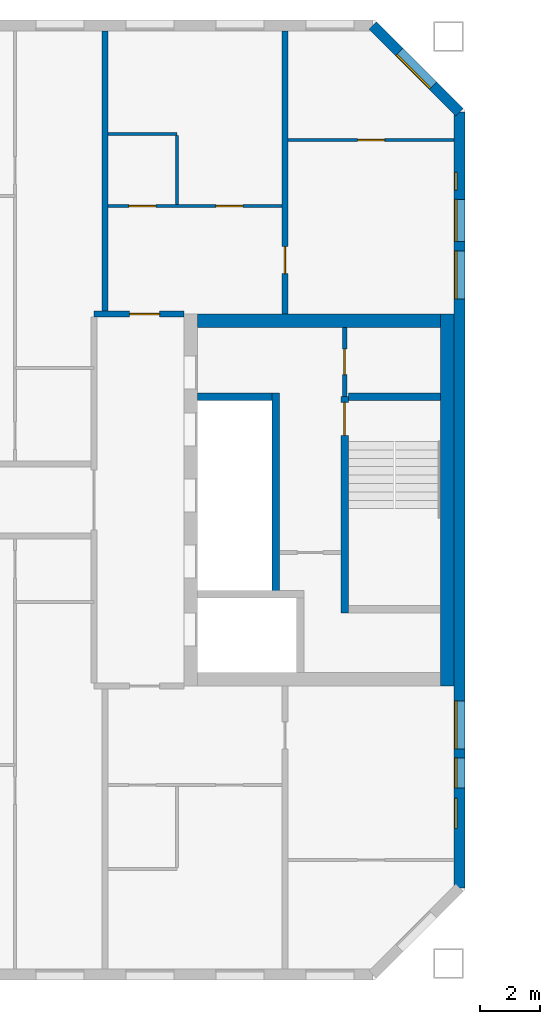
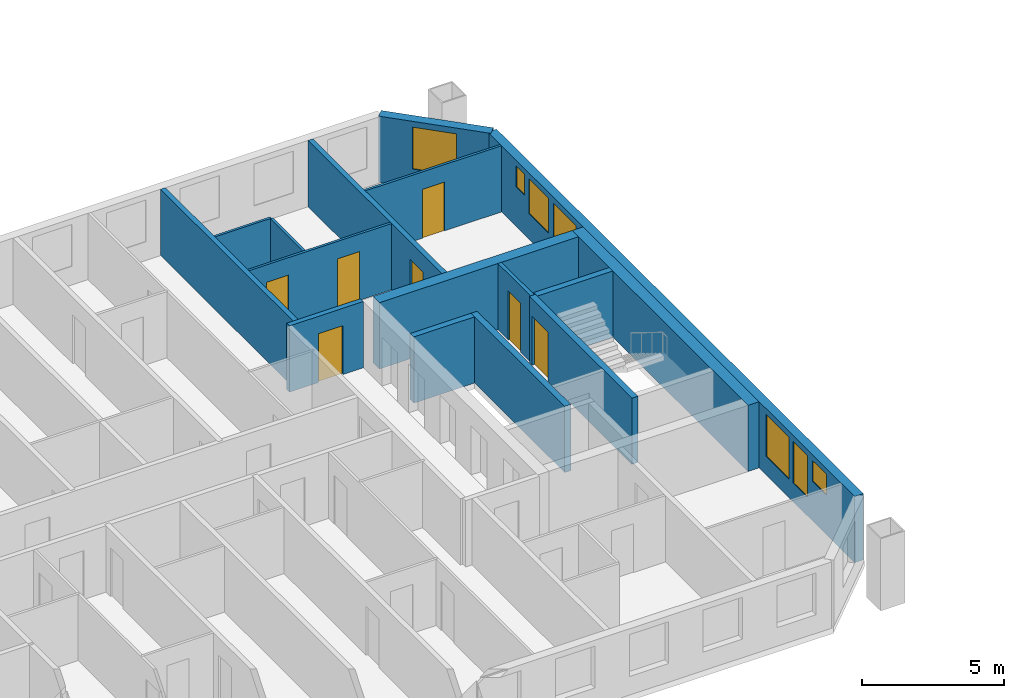
# One storey, part 7 of 15: 16 walls, 7 doors, 7 windows, 14 openings.
"""IFC4 building model written with IfcOpenShell, lengths in metres."""

from ifc_helpers import new_model, si_unit, direction, frame, frame_2d, origin, place, context, subcontext, project, spatial, rectangle, extrude, material, layer, layer_set, type_object, element, fill, save


model = new_model("IFC4")

# Units and contexts
model_context = context("Model", 3, precision=1e-05, world=origin(), true_north=direction((0.0, 1.0)))
body_context = subcontext(model_context, "Body", "Model", "MODEL_VIEW")
ifc_project = project(units=[si_unit("LENGTHUNIT", "METRE"), si_unit("AREAUNIT", "SQUARE_METRE"), si_unit("VOLUMEUNIT", "CUBIC_METRE"), si_unit("PLANEANGLEUNIT", "RADIAN"), si_unit("MASSUNIT", "GRAM", prefix="KILO")], contexts=[model_context])

# Site, building, storey
site_placement = place(None, origin())
site = spatial("IfcSite", under=ifc_project, at=site_placement, CompositionType="ELEMENT")
building_placement = place(site_placement, origin())
building = spatial("IfcBuilding", under=site, at=building_placement, Name="Tuart Gate Housing", CompositionType="ELEMENT")
storey_placement = place(building_placement, frame((0.0, 0.0, 188.199951171875)))
storey = spatial("IfcBuildingStorey", under=building, at=storey_placement, Name="L53", CompositionType="ELEMENT", Elevation=188.199951171875)

# Wall, openings, windows
ifc_material_1 = material(Name="Brick", Category="masonry")
ifc_layer_1 = layer(ifc_material_1, 0.360107421875)
ifc_layer_set_1 = layer_set([ifc_layer_1], Name="Brick pier and spandrel wall 360")
wall_type_1 = type_object("IfcWallType", Name="Brick pier and spandrel wall 360", PredefinedType="STANDARD", material=ifc_layer_set_1)
wall_1_placement = place(storey_placement, frame((75.820068359375, 57.07470703125, 0.0), z_axis=(0.0, 0.0, 1.0), x_axis=(0.0, 1.0, 0.0)))
wall_1 = element("IfcWall", 1, at=wall_1_placement, inside=storey, type_object=wall_type_1, Name="External wall A-E L53", PredefinedType="STANDARD", context=body_context, shape_type="SweptSolid", body=[
    extrude(rectangle(XDim=25.850830078125, YDim=0.360107421875, at=frame_2d((12.92529296875, 0.0))), origin(), (0.0, 0.0, 1.0), 2.85009765625),
])
opening_1_placement = place(wall_1_placement, frame((1.975341796875, 0.0, 1.699951171875)))
opening_1 = element("IfcOpeningElement", 2, at=opening_1_placement, cuts=wall_1, Name="Opening W1U", PredefinedType="OPENING", context=body_context, shape_type="SweptSolid", body=[
    extrude(rectangle(XDim=1.0, YDim=0.89990234375, at=frame_2d((0.5, 0.449951171875))), frame((0.0, 0.18994140625, 0.0), z_axis=(0.0, -1.0, 0.0), x_axis=(1.0, 0.0, 0.0)), (0.0, 0.0, 1.0), 0.380126953125),
])
opening_2_placement = place(wall_1_placement, frame((4.62548828125, 0.0, 0.800048828125)))
opening_2 = element("IfcOpeningElement", 3, at=opening_2_placement, cuts=wall_1, Name="Opening W1", PredefinedType="OPENING", context=body_context, shape_type="SweptSolid", body=[
    extrude(rectangle(XDim=1.60009765625, YDim=1.800048828125, at=frame_2d((0.800048828125, 0.89990234375))), frame((0.0, 0.18994140625, 0.0), z_axis=(0.0, -1.0, 0.0), x_axis=(1.0, 0.0, 0.0)), (0.0, 0.0, 1.0), 0.380126953125),
])
opening_3_placement = place(wall_1_placement, frame((19.62548828125, 0.0, 0.800048828125)))
opening_3 = element("IfcOpeningElement", 4, at=opening_3_placement, cuts=wall_1, Name="Opening W1", PredefinedType="OPENING", context=body_context, shape_type="SweptSolid", body=[
    extrude(rectangle(XDim=1.60009765625, YDim=1.800048828125, at=frame_2d((0.800048828125, 0.89990234375))), frame((0.0, 0.18994140625, 0.0), z_axis=(0.0, -1.0, 0.0), x_axis=(1.0, 0.0, 0.0)), (0.0, 0.0, 1.0), 0.380126953125),
])
opening_4_placement = place(wall_1_placement, frame((21.55029296875, 0.0, 1.10009765625)))
opening_4 = element("IfcOpeningElement", 5, at=opening_4_placement, cuts=wall_1, Name="Opening W1G", PredefinedType="OPENING", context=body_context, shape_type="SweptSolid", body=[
    extrude(rectangle(XDim=1.39990234375, YDim=1.5, at=frame_2d((0.699951171875, 0.75))), frame((0.0, 0.18994140625, 0.0), z_axis=(0.0, -1.0, 0.0), x_axis=(1.0, 0.0, 0.0)), (0.0, 0.0, 1.0), 0.380126953125),
])
opening_5_placement = place(wall_1_placement, frame((3.325439453125, 0.0, 0.800048828125)))
opening_5 = element("IfcOpeningElement", 6, at=opening_5_placement, cuts=wall_1, Name="Opening W1C", PredefinedType="OPENING", context=body_context, shape_type="SweptSolid", body=[
    extrude(rectangle(XDim=1.0, YDim=1.800048828125, at=frame_2d((0.5, 0.89990234375))), frame((0.0, 0.18994140625, 0.0), z_axis=(0.0, -1.0, 0.0), x_axis=(1.0, 0.0, 0.0)), (0.0, 0.0, 1.0), 0.380126953125),
])
opening_6_placement = place(wall_1_placement, frame((23.25048828125, 0.0, 1.699951171875)))
opening_6 = element("IfcOpeningElement", 7, at=opening_6_placement, cuts=wall_1, Name="Opening W1W", PredefinedType="OPENING", context=body_context, shape_type="SweptSolid", body=[
    extrude(rectangle(XDim=0.60009765625, YDim=0.89990234375, at=frame_2d((0.300048828125, 0.449951171875))), frame((0.0, 0.18994140625, 0.0), z_axis=(0.0, -1.0, 0.0), x_axis=(1.0, 0.0, 0.0)), (0.0, 0.0, 1.0), 0.380126953125),
])
ifc_material_2 = material(Name="Aluminium frame with clear glass", Category="aluminium")
window_type_1 = type_object("IfcWindowType", Name="Punched window 1000 x 1800", PartitioningType="SINGLE_PANEL", PredefinedType="WINDOW", material=ifc_material_2)
window_1_placement = place(opening_5_placement, origin())
window_1 = element("IfcWindow", 8, at=window_1_placement, inside=storey, type_object=window_type_1, Name="Window W1C", OverallHeight=1.800048828125, OverallWidth=1.0, PartitioningType="SINGLE_PANEL", PredefinedType="WINDOW", context=body_context, shape_type="SweptSolid", body=[
    extrude(rectangle(XDim=1.0, YDim=1.800048828125, at=frame_2d((0.5, 0.89990234375))), frame((0.0, 0.150146484375, 0.0), z_axis=(0.0, -1.0, 0.0), x_axis=(1.0, 0.0, 0.0)), (0.0, 0.0, 1.0), 0.06005859375),
])
fill(opening_5, window_1)
ifc_material_3 = material(Name="Aluminium frame with clear glass", Category="aluminium")
window_type_2 = type_object("IfcWindowType", Name="Punched window 1000 x 900", PartitioningType="SINGLE_PANEL", PredefinedType="WINDOW", material=ifc_material_3)
window_2_placement = place(opening_1_placement, origin())
window_2 = element("IfcWindow", 9, at=window_2_placement, inside=storey, type_object=window_type_2, Name="Window W1U", OverallHeight=0.89990234375, OverallWidth=1.0, PartitioningType="SINGLE_PANEL", PredefinedType="WINDOW", context=body_context, shape_type="SweptSolid", body=[
    extrude(rectangle(XDim=1.0, YDim=0.89990234375, at=frame_2d((0.5, 0.449951171875))), frame((0.0, 0.150146484375, 0.0), z_axis=(0.0, -1.0, 0.0), x_axis=(1.0, 0.0, 0.0)), (0.0, 0.0, 1.0), 0.06005859375),
])
fill(opening_1, window_2)
ifc_material_4 = material(Name="Aluminium frame with clear glass", Category="aluminium")
window_type_3 = type_object("IfcWindowType", Name="Punched window 1400 x 1500", PartitioningType="SINGLE_PANEL", PredefinedType="WINDOW", material=ifc_material_4)
window_3_placement = place(opening_4_placement, origin())
window_3 = element("IfcWindow", 10, at=window_3_placement, inside=storey, type_object=window_type_3, Name="Window W1G", OverallHeight=1.5, OverallWidth=1.39990234375, PartitioningType="SINGLE_PANEL", PredefinedType="WINDOW", context=body_context, shape_type="SweptSolid", body=[
    extrude(rectangle(XDim=1.39990234375, YDim=1.5, at=frame_2d((0.699951171875, 0.75))), frame((0.0, 0.150146484375, 0.0), z_axis=(0.0, -1.0, 0.0), x_axis=(1.0, 0.0, 0.0)), (0.0, 0.0, 1.0), 0.06005859375),
])
fill(opening_4, window_3)
ifc_material_5 = material(Name="Aluminium frame with clear glass", Category="aluminium")
window_type_4 = type_object("IfcWindowType", Name="Punched window 1600 x 1800", PartitioningType="SINGLE_PANEL", PredefinedType="WINDOW", material=ifc_material_5)
window_4_placement = place(opening_2_placement, origin())
window_4 = element("IfcWindow", 11, at=window_4_placement, inside=storey, type_object=window_type_4, Name="Window W1", OverallHeight=1.800048828125, OverallWidth=1.60009765625, PartitioningType="SINGLE_PANEL", PredefinedType="WINDOW", context=body_context, shape_type="SweptSolid", body=[
    extrude(rectangle(XDim=1.60009765625, YDim=1.800048828125, at=frame_2d((0.800048828125, 0.89990234375))), frame((0.0, 0.150146484375, 0.0), z_axis=(0.0, -1.0, 0.0), x_axis=(1.0, 0.0, 0.0)), (0.0, 0.0, 1.0), 0.06005859375),
])
fill(opening_2, window_4)
window_5_placement = place(opening_3_placement, origin())
window_5 = element("IfcWindow", 12, at=window_5_placement, inside=storey, type_object=window_type_4, Name="Window W1", OverallHeight=1.800048828125, OverallWidth=1.60009765625, PartitioningType="SINGLE_PANEL", PredefinedType="WINDOW", context=body_context, shape_type="SweptSolid", body=[
    extrude(rectangle(XDim=1.60009765625, YDim=1.800048828125, at=frame_2d((0.800048828125, 0.89990234375))), frame((0.0, 0.150146484375, 0.0), z_axis=(0.0, -1.0, 0.0), x_axis=(1.0, 0.0, 0.0)), (0.0, 0.0, 1.0), 0.06005859375),
])
fill(opening_3, window_5)
ifc_material_6 = material(Name="Aluminium frame with clear glass", Category="aluminium")
window_type_5 = type_object("IfcWindowType", Name="Punched window 600 x 900", PartitioningType="SINGLE_PANEL", PredefinedType="WINDOW", material=ifc_material_6)
window_6_placement = place(opening_6_placement, origin())
window_6 = element("IfcWindow", 13, at=window_6_placement, inside=storey, type_object=window_type_5, Name="Window W1W", OverallHeight=0.89990234375, OverallWidth=0.60009765625, PartitioningType="SINGLE_PANEL", PredefinedType="WINDOW", context=body_context, shape_type="SweptSolid", body=[
    extrude(rectangle(XDim=0.60009765625, YDim=0.89990234375, at=frame_2d((0.300048828125, 0.449951171875))), frame((0.0, 0.150146484375, 0.0), z_axis=(0.0, -1.0, 0.0), x_axis=(1.0, 0.0, 0.0)), (0.0, 0.0, 1.0), 0.06005859375),
])
fill(opening_6, window_6)

# Wall, opening, window
wall_2_placement = place(storey_placement, frame((75.820068359375, 82.92529296875, 0.0), z_axis=(0.0, 0.0, 1.0), x_axis=(-0.707106781187, 0.707106781187, 0.0)))
wall_2 = element("IfcWall", 14, at=wall_2_placement, inside=storey, type_object=wall_type_1, Name="External wall A-NE L53", PredefinedType="STANDARD", context=body_context, shape_type="SweptSolid", body=[
    extrude(rectangle(XDim=4.09375, YDim=0.360107421875, at=frame_2d((2.046875, 0.0))), origin(), (0.0, 0.0, 1.0), 2.85009765625),
])
opening_7_placement = place(wall_2_placement, frame((1.2470703125, 0.0, 0.800048828125)))
opening_7 = element("IfcOpeningElement", 15, at=opening_7_placement, cuts=wall_2, Name="Opening W1", PredefinedType="OPENING", context=body_context, shape_type="SweptSolid", body=[
    extrude(rectangle(XDim=1.60009765625, YDim=1.800048828125, at=frame_2d((0.800048828125, 0.89990234375))), frame((0.0, 0.18994140625, 0.0), z_axis=(0.0, -1.0, 0.0), x_axis=(1.0, 0.0, 0.0)), (0.0, 0.0, 1.0), 0.380126953125),
])
window_7_placement = place(opening_7_placement, origin())
window_7 = element("IfcWindow", 16, at=window_7_placement, inside=storey, type_object=window_type_4, Name="Window W1", OverallHeight=1.800048828125, OverallWidth=1.60009765625, PartitioningType="SINGLE_PANEL", PredefinedType="WINDOW", context=body_context, shape_type="SweptSolid", body=[
    extrude(rectangle(XDim=1.60009765625, YDim=1.800048828125, at=frame_2d((0.800048828125, 0.89990234375))), frame((0.0, 0.150146484375, 0.0), z_axis=(0.0, -1.0, 0.0), x_axis=(1.0, 0.0, 0.0)), (0.0, 0.0, 1.0), 0.06005859375),
])
fill(opening_7, window_7)

# Wall, opening, door
ifc_material_7 = material(Name="Plasterboard partition")
ifc_layer_2 = layer(ifc_material_7, 0.14990234375)
ifc_layer_set_2 = layer_set([ifc_layer_2], Name="Core partition 150")
wall_type_2 = type_object("IfcWallType", Name="Core partition 150", PredefinedType="PARTITIONING", material=ifc_layer_set_2)
wall_3_placement = place(storey_placement, frame((71.989990234375, 73.449951171875, 0.0), z_axis=(0.0, 0.0, 1.0), x_axis=(0.0, 1.0, 0.0)))
wall_3 = element("IfcWall", 17, at=wall_3_placement, inside=storey, type_object=wall_type_2, Name="Core partition AG.9", PredefinedType="PARTITIONING", context=body_context, shape_type="SweptSolid", body=[
    extrude(rectangle(XDim=2.300048828125, YDim=0.14990234375, at=frame_2d((1.14990234375, 0.0))), origin(), (0.0, 0.0, 1.0), 2.85009765625),
])
opening_8_placement = place(wall_3_placement, frame((0.72509765625, 0.0, 0.0)))
opening_8 = element("IfcOpeningElement", 18, at=opening_8_placement, cuts=wall_3, Name="Opening D1861", PredefinedType="OPENING", context=body_context, shape_type="SweptSolid", body=[
    extrude(rectangle(XDim=0.85009765625, YDim=2.10009765625, at=frame_2d((0.425048828125, 1.050048828125))), frame((0.0, 0.0849609375, 0.0), z_axis=(0.0, -1.0, 0.0), x_axis=(1.0, 0.0, 0.0)), (0.0, 0.0, 1.0), 0.169921875),
])
ifc_material_8 = material(Name="Steel fire door", Category="steel")
door_type_1 = type_object("IfcDoorType", Name="Service door 850 x 2100 RH", OperationType="SINGLE_SWING_RIGHT", PredefinedType="DOOR", material=ifc_material_8)
door_1_placement = place(opening_8_placement, frame((0.85009765625, 0.0, 0.0), z_axis=(0.0, 0.0, 1.0), x_axis=(-1.0, 0.0, 0.0)))
door_1 = element("IfcDoor", 19, at=door_1_placement, inside=storey, type_object=door_type_1, Name="Service room door AG.ST", OperationType="SINGLE_SWING_RIGHT", OverallHeight=2.10009765625, OverallWidth=0.85009765625, PredefinedType="DOOR", context=body_context, shape_type="SweptSolid", body=[
    extrude(rectangle(XDim=0.85009765625, YDim=2.10009765625, at=frame_2d((0.425048828125, 1.050048828125))), frame((0.0, 0.025146484375, 0.0), z_axis=(0.0, -1.0, 0.0), x_axis=(1.0, 0.0, 0.0)), (0.0, 0.0, 1.0), 0.050048828125),
])
fill(opening_8, door_1)

# Walls
ifc_material_9 = material(Name="Concrete C40", Category="concrete")
ifc_layer_3 = layer(ifc_material_9, 0.25)
ifc_layer_set_3 = layer_set([ifc_layer_3], Name="Core wall 250 C40")
wall_type_3 = type_object("IfcWallType", Name="Core wall 250 C40", PredefinedType="SHEAR", material=ifc_layer_set_3)
wall_4_placement = place(storey_placement, frame((67.090087890625, 73.449951171875, 0.0), z_axis=(0.0, 0.0, 1.0), x_axis=(1.0, 0.0, 0.0)))
element("IfcWall", 20, at=wall_4_placement, inside=storey, type_object=wall_type_3, Name="Core wall AG.4", PredefinedType="SHEAR", context=body_context, shape_type="SweptSolid", body=[
    extrude(rectangle(XDim=2.474853515625, YDim=0.25, at=frame_2d((1.2373046875, 0.0))), origin(), (0.0, 0.0, 1.0), 2.85009765625),
])
wall_5_placement = place(storey_placement, frame((72.114990234375, 73.449951171875, 0.0), z_axis=(0.0, 0.0, 1.0), x_axis=(1.0, 0.0, 0.0)))
element("IfcWall", 21, at=wall_5_placement, inside=storey, type_object=wall_type_3, Name="Core wall AG.5", PredefinedType="SHEAR", context=body_context, shape_type="SweptSolid", body=[
    extrude(rectangle(XDim=3.074951171875, YDim=0.25, at=frame_2d((1.53759765625, 0.0))), origin(), (0.0, 0.0, 1.0), 2.85009765625),
])
wall_6_placement = place(storey_placement, frame((69.68994140625, 66.97509765625, 0.0), z_axis=(0.0, 0.0, 1.0), x_axis=(0.0, 1.0, 0.0)))
element("IfcWall", 22, at=wall_6_placement, inside=storey, type_object=wall_type_3, Name="Core wall AG.6", PredefinedType="SHEAR", context=body_context, shape_type="SweptSolid", body=[
    extrude(rectangle(XDim=6.599853515625, YDim=0.25, at=frame_2d((3.2998046875, 0.0))), origin(), (0.0, 0.0, 1.0), 2.85009765625),
])

# Wall, opening, door
wall_7_placement = place(storey_placement, frame((71.989990234375, 66.22509765625, 0.0), z_axis=(0.0, 0.0, 1.0), x_axis=(0.0, 1.0, 0.0)))
wall_7 = element("IfcWall", 23, at=wall_7_placement, inside=storey, type_object=wall_type_3, Name="Core wall AG.8", PredefinedType="SHEAR", context=body_context, shape_type="SweptSolid", body=[
    extrude(rectangle(XDim=7.224853515625, YDim=0.25, at=frame_2d((3.6123046875, 0.0))), origin(), (0.0, 0.0, 1.0), 2.85009765625),
])
opening_9_placement = place(wall_7_placement, frame((5.925048828125, 0.0, 0.0)))
opening_9 = element("IfcOpeningElement", 24, at=opening_9_placement, cuts=wall_7, Name="Opening D1871", PredefinedType="OPENING", context=body_context, shape_type="SweptSolid", body=[
    extrude(rectangle(XDim=1.10009765625, YDim=2.10009765625, at=frame_2d((0.550048828125, 1.050048828125))), frame((0.0, 0.135009765625, 0.0), z_axis=(0.0, -1.0, 0.0), x_axis=(1.0, 0.0, 0.0)), (0.0, 0.0, 1.0), 0.27001953125),
])
ifc_material_10 = material(Name="Steel fire door", Category="steel")
door_type_2 = type_object("IfcDoorType", Name="Stair door 1100 x 2100", OperationType="SINGLE_SWING_LEFT", PredefinedType="DOOR", material=ifc_material_10)
door_2_placement = place(opening_9_placement, frame((1.10009765625, 0.0, 0.0), z_axis=(0.0, 0.0, 1.0), x_axis=(-1.0, 0.0, 0.0)))
door_2 = element("IfcDoor", 25, at=door_2_placement, inside=storey, type_object=door_type_2, Name="Stair door AG.SD", OperationType="SINGLE_SWING_LEFT", OverallHeight=2.10009765625, OverallWidth=1.10009765625, PredefinedType="DOOR", context=body_context, shape_type="SweptSolid", body=[
    extrude(rectangle(XDim=1.10009765625, YDim=2.10009765625, at=frame_2d((0.550048828125, 1.050048828125))), frame((0.0, 0.025146484375, 0.0), z_axis=(0.0, -1.0, 0.0), x_axis=(1.0, 0.0, 0.0)), (0.0, 0.0, 1.0), 0.050048828125),
])
fill(opening_9, door_2)

# Walls
ifc_material_11 = material(Name="Concrete C40", Category="concrete")
ifc_layer_4 = layer(ifc_material_11, 0.449951171875)
ifc_layer_set_4 = layer_set([ifc_layer_4], Name="Core wall 450 C40")
wall_type_4 = type_object("IfcWallType", Name="Core wall 450 C40", PredefinedType="SHEAR", material=ifc_layer_set_4)
wall_8_placement = place(storey_placement, frame((75.4150390625, 63.800048828125, 0.0), z_axis=(0.0, 0.0, 1.0), x_axis=(0.0, 1.0, 0.0)))
element("IfcWall", 26, at=wall_8_placement, inside=storey, type_object=wall_type_4, Name="Core wall AG back", PredefinedType="SHEAR", context=body_context, shape_type="SweptSolid", body=[
    extrude(rectangle(XDim=12.39990234375, YDim=0.449951171875, at=frame_2d((6.199951171875, 0.0))), origin(), (0.0, 0.0, 1.0), 2.85009765625),
])
wall_9_placement = place(storey_placement, frame((67.090087890625, 75.97509765625, 0.0), z_axis=(0.0, 0.0, 1.0), x_axis=(1.0, 0.0, 0.0)))
element("IfcWall", 27, at=wall_9_placement, inside=storey, type_object=wall_type_4, Name="Core wall AG north", PredefinedType="SHEAR", context=body_context, shape_type="SweptSolid", body=[
    extrude(rectangle(XDim=8.099853515625, YDim=0.449951171875, at=frame_2d((4.0498046875, 0.0))), origin(), (0.0, 0.0, 1.0), 2.85009765625),
])

# Wall, opening, door
ifc_material_12 = material(Name="Concrete masonry 15 MPa", Category="masonry")
ifc_layer_5 = layer(ifc_material_12, 0.199951171875)
ifc_layer_set_5 = layer_set([ifc_layer_5], Name="Enclosure wall masonry 200")
wall_type_5 = type_object("IfcWallType", Name="Enclosure wall masonry 200", PredefinedType="PARTITIONING", material=ifc_layer_set_5)
wall_10_placement = place(storey_placement, frame((63.639892578125, 76.199951171875, 0.0), z_axis=(0.0, 0.0, 1.0), x_axis=(1.0, 0.0, 0.0)))
wall_10 = element("IfcWall", 28, at=wall_10_placement, inside=storey, type_object=wall_type_5, Name="Enclosure wall masonry 200", PredefinedType="PARTITIONING", context=body_context, shape_type="SweptSolid", body=[
    extrude(rectangle(XDim=3.0, YDim=0.199951171875, at=frame_2d((1.5, 0.0))), origin(), (0.0, 0.0, 1.0), 2.85009765625),
])
opening_10_placement = place(wall_10_placement, frame((1.179931640625, 0.0, 0.0)))
opening_10 = element("IfcOpeningElement", 29, at=opening_10_placement, cuts=wall_10, Name="Opening D1860", PredefinedType="OPENING", context=body_context, shape_type="SweptSolid", body=[
    extrude(rectangle(XDim=1.0, YDim=2.10009765625, at=frame_2d((0.5, 1.050048828125))), frame((0.0, 0.10986328125, 0.0), z_axis=(0.0, -1.0, 0.0), x_axis=(1.0, 0.0, 0.0)), (0.0, 0.0, 1.0), 0.219970703125),
])
ifc_material_13 = material(Name="Timber door leaf in steel frame", Category="steel")
door_type_3 = type_object("IfcDoorType", Name="Flat entrance door 1000", OperationType="SINGLE_SWING_LEFT", PredefinedType="DOOR", material=ifc_material_13)
door_3_placement = place(opening_10_placement, origin())
door_3 = element("IfcDoor", 30, at=door_3_placement, inside=storey, type_object=door_type_3, Name="Flat entrance door", OperationType="SINGLE_SWING_LEFT", OverallHeight=2.10009765625, OverallWidth=1.0, PredefinedType="DOOR", context=body_context, shape_type="SweptSolid", body=[
    extrude(rectangle(XDim=1.0, YDim=2.10009765625, at=frame_2d((0.5, 1.050048828125))), frame((0.0, 0.02490234375, 0.0), z_axis=(0.0, -1.0, 0.0), x_axis=(1.0, 0.0, 0.0)), (0.0, 0.0, 1.0), 0.050048828125),
])
fill(opening_10, door_3)

# Wall, openings, doors
ifc_material_14 = material(Name="Gypsum board on steel studs", Category="steel")
ifc_layer_6 = layer(ifc_material_14, 0.10009765625)
ifc_layer_set_6 = layer_set([ifc_layer_6], Name="Partition 100")
wall_type_6 = type_object("IfcWallType", Name="Partition 100", PredefinedType="PARTITIONING", material=ifc_layer_set_6)
wall_11_placement = place(storey_placement, frame((64.10009765625, 79.800048828125, 0.0), z_axis=(0.0, 0.0, 1.0), x_axis=(1.0, 0.0, 0.0)))
wall_11 = element("IfcWall", 31, at=wall_11_placement, inside=storey, type_object=wall_type_6, Name="Partition 100", PredefinedType="PARTITIONING", context=body_context, shape_type="SweptSolid", body=[
    extrude(rectangle(XDim=5.7998046875, YDim=0.10009765625, at=frame_2d((2.89990234375, 0.0))), origin(), (0.0, 0.0, 1.0), 2.85009765625),
])
opening_11_placement = place(wall_11_placement, frame((3.60009765625, 0.0, 0.0)))
opening_11 = element("IfcOpeningElement", 32, at=opening_11_placement, cuts=wall_11, Name="Opening D1847", PredefinedType="OPENING", context=body_context, shape_type="SweptSolid", body=[
    extrude(rectangle(XDim=0.89990234375, YDim=2.10009765625, at=frame_2d((0.449951171875, 1.050048828125))), frame((0.0, 0.06005859375, 0.0), z_axis=(0.0, -1.0, 0.0), x_axis=(1.0, 0.0, 0.0)), (0.0, 0.0, 1.0), 0.1201171875),
])
opening_12_placement = place(wall_11_placement, frame((0.699951171875, 0.0, 0.0)))
opening_12 = element("IfcOpeningElement", 33, at=opening_12_placement, cuts=wall_11, Name="Opening D1846", PredefinedType="OPENING", context=body_context, shape_type="SweptSolid", body=[
    extrude(rectangle(XDim=0.89990234375, YDim=2.10009765625, at=frame_2d((0.449951171875, 1.050048828125))), frame((0.0, 0.06005859375, 0.0), z_axis=(0.0, -1.0, 0.0), x_axis=(1.0, 0.0, 0.0)), (0.0, 0.0, 1.0), 0.1201171875),
])
ifc_material_15 = material(Name="Timber door leaf in steel frame", Category="steel")
door_type_4 = type_object("IfcDoorType", Name="Bathroom door 900 RH", OperationType="SINGLE_SWING_RIGHT", PredefinedType="DOOR", material=ifc_material_15)
door_4_placement = place(opening_12_placement, origin())
door_4 = element("IfcDoor", 34, at=door_4_placement, inside=storey, type_object=door_type_4, Name="Bathroom door", OperationType="SINGLE_SWING_RIGHT", OverallHeight=2.10009765625, OverallWidth=0.89990234375, PredefinedType="DOOR", context=body_context, shape_type="SweptSolid", body=[
    extrude(rectangle(XDim=0.89990234375, YDim=2.10009765625, at=frame_2d((0.449951171875, 1.050048828125))), frame((0.0, 0.02490234375, 0.0), z_axis=(0.0, -1.0, 0.0), x_axis=(1.0, 0.0, 0.0)), (0.0, 0.0, 1.0), 0.050048828125),
])
fill(opening_12, door_4)
ifc_material_16 = material(Name="Timber door leaf in steel frame", Category="steel")
door_type_5 = type_object("IfcDoorType", Name="Internal door 900", OperationType="SINGLE_SWING_LEFT", PredefinedType="DOOR", material=ifc_material_16)
door_5_placement = place(opening_11_placement, origin())
door_5 = element("IfcDoor", 35, at=door_5_placement, inside=storey, type_object=door_type_5, Name="Internal door", OperationType="SINGLE_SWING_LEFT", OverallHeight=2.10009765625, OverallWidth=0.89990234375, PredefinedType="DOOR", context=body_context, shape_type="SweptSolid", body=[
    extrude(rectangle(XDim=0.89990234375, YDim=2.10009765625, at=frame_2d((0.449951171875, 1.050048828125))), frame((0.0, 0.02490234375, 0.0), z_axis=(0.0, -1.0, 0.0), x_axis=(1.0, 0.0, 0.0)), (0.0, 0.0, 1.0), 0.050048828125),
])
fill(opening_11, door_5)

# Wall, opening, door
wall_12_placement = place(storey_placement, frame((70.10009765625, 82.0, 0.0), z_axis=(0.0, 0.0, 1.0), x_axis=(1.0, 0.0, 0.0)))
wall_12 = element("IfcWall", 36, at=wall_12_placement, inside=storey, type_object=wall_type_6, Name="Partition 100", PredefinedType="PARTITIONING", context=body_context, shape_type="SweptSolid", body=[
    extrude(rectangle(XDim=5.539794921875, YDim=0.10009765625, at=frame_2d((2.77001953125, 0.0))), origin(), (0.0, 0.0, 1.0), 2.85009765625),
])
opening_13_placement = place(wall_12_placement, frame((2.320068359375, 0.0, 0.0)))
opening_13 = element("IfcOpeningElement", 37, at=opening_13_placement, cuts=wall_12, Name="Opening D1842", PredefinedType="OPENING", context=body_context, shape_type="SweptSolid", body=[
    extrude(rectangle(XDim=0.89990234375, YDim=2.10009765625, at=frame_2d((0.449951171875, 1.050048828125))), frame((0.0, 0.06005859375, 0.0), z_axis=(0.0, -1.0, 0.0), x_axis=(1.0, 0.0, 0.0)), (0.0, 0.0, 1.0), 0.1201171875),
])
ifc_material_17 = material(Name="Timber door leaf in steel frame", Category="steel")
door_type_6 = type_object("IfcDoorType", Name="Internal door 900 RH", OperationType="SINGLE_SWING_RIGHT", PredefinedType="DOOR", material=ifc_material_17)
door_6_placement = place(opening_13_placement, origin())
door_6 = element("IfcDoor", 38, at=door_6_placement, inside=storey, type_object=door_type_6, Name="Internal door", OperationType="SINGLE_SWING_RIGHT", OverallHeight=2.10009765625, OverallWidth=0.89990234375, PredefinedType="DOOR", context=body_context, shape_type="SweptSolid", body=[
    extrude(rectangle(XDim=0.89990234375, YDim=2.10009765625, at=frame_2d((0.449951171875, 1.050048828125))), frame((0.0, 0.02490234375, 0.0), z_axis=(0.0, -1.0, 0.0), x_axis=(1.0, 0.0, 0.0)), (0.0, 0.0, 1.0), 0.050048828125),
])
fill(opening_13, door_6)

# Walls
for number, where, z_axis, x_axis, name in (
    (39, (64.10009765625, 82.199951171875, 0.0), (0.0, 0.0, 1.0), (1.0, 0.0, 0.0), "Partition 100"),
    (40, (66.39990234375, 79.85009765625, 0.0), (0.0, 0.0, 1.0), (0.0, 1.0, 0.0), "Partition 100"),
):
    element("IfcWall", number, at=place(storey_placement, frame(where, z_axis=z_axis, x_axis=x_axis)), inside=storey, type_object=wall_type_6, Name=name, PredefinedType="PARTITIONING", context=body_context, shape_type="SweptSolid", body=[
        extrude(rectangle(XDim=2.2998046875, YDim=0.10009765625, at=frame_2d((1.14990234375, 0.0))), origin(), (0.0, 0.0, 1.0), 2.85009765625),
    ])
ifc_material_18 = material(Name="Concrete C40", Category="concrete")
ifc_layer_7 = layer(ifc_material_18, 0.199951171875)
ifc_layer_set_7 = layer_set([ifc_layer_7], Name="Party wall concrete C40 200")
wall_type_7 = type_object("IfcWallType", Name="Party wall concrete C40 200", PredefinedType="SOLIDWALL", material=ifc_layer_set_7)
wall_13_placement = place(storey_placement, frame((64.0, 76.199951171875, 0.0), z_axis=(0.0, 0.0, 1.0), x_axis=(0.0, 1.0, 0.0)))
element("IfcWall", 41, at=wall_13_placement, inside=storey, type_object=wall_type_7, Name="Party wall concrete C40 200", PredefinedType="SOLIDWALL", context=body_context, shape_type="SweptSolid", body=[
    extrude(rectangle(XDim=9.43994140625, YDim=0.199951171875, at=frame_2d((4.719970703125, 0.0))), origin(), (0.0, 0.0, 1.0), 2.85009765625),
])

# Wall, opening, door
wall_14_placement = place(storey_placement, frame((70.0, 76.199951171875, 0.0), z_axis=(0.0, 0.0, 1.0), x_axis=(0.0, 1.0, 0.0)))
wall_14 = element("IfcWall", 42, at=wall_14_placement, inside=storey, type_object=wall_type_7, Name="Party wall concrete C40 200", PredefinedType="SOLIDWALL", context=body_context, shape_type="SweptSolid", body=[
    extrude(rectangle(XDim=9.43994140625, YDim=0.199951171875, at=frame_2d((4.719970703125, 0.0))), origin(), (0.0, 0.0, 1.0), 2.85009765625),
])
opening_14_placement = place(wall_14_placement, frame((1.35009765625, 0.0, 0.0)))
opening_14 = element("IfcOpeningElement", 43, at=opening_14_placement, cuts=wall_14, Name="Opening D1843", PredefinedType="OPENING", context=body_context, shape_type="SweptSolid", body=[
    extrude(rectangle(XDim=0.89990234375, YDim=2.10009765625, at=frame_2d((0.449951171875, 1.050048828125))), frame((0.0, 0.10986328125, 0.0), z_axis=(0.0, -1.0, 0.0), x_axis=(1.0, 0.0, 0.0)), (0.0, 0.0, 1.0), 0.219970703125),
])
door_7_placement = place(opening_14_placement, origin())
door_7 = element("IfcDoor", 44, at=door_7_placement, inside=storey, type_object=door_type_5, Name="Internal door", OperationType="SINGLE_SWING_LEFT", OverallHeight=2.10009765625, OverallWidth=0.89990234375, PredefinedType="DOOR", context=body_context, shape_type="SweptSolid", body=[
    extrude(rectangle(XDim=0.89990234375, YDim=2.10009765625, at=frame_2d((0.449951171875, 1.050048828125))), frame((0.0, 0.02490234375, 0.0), z_axis=(0.0, -1.0, 0.0), x_axis=(1.0, 0.0, 0.0)), (0.0, 0.0, 1.0), 0.050048828125),
])
fill(opening_14, door_7)

save(model, "model.ifc")
